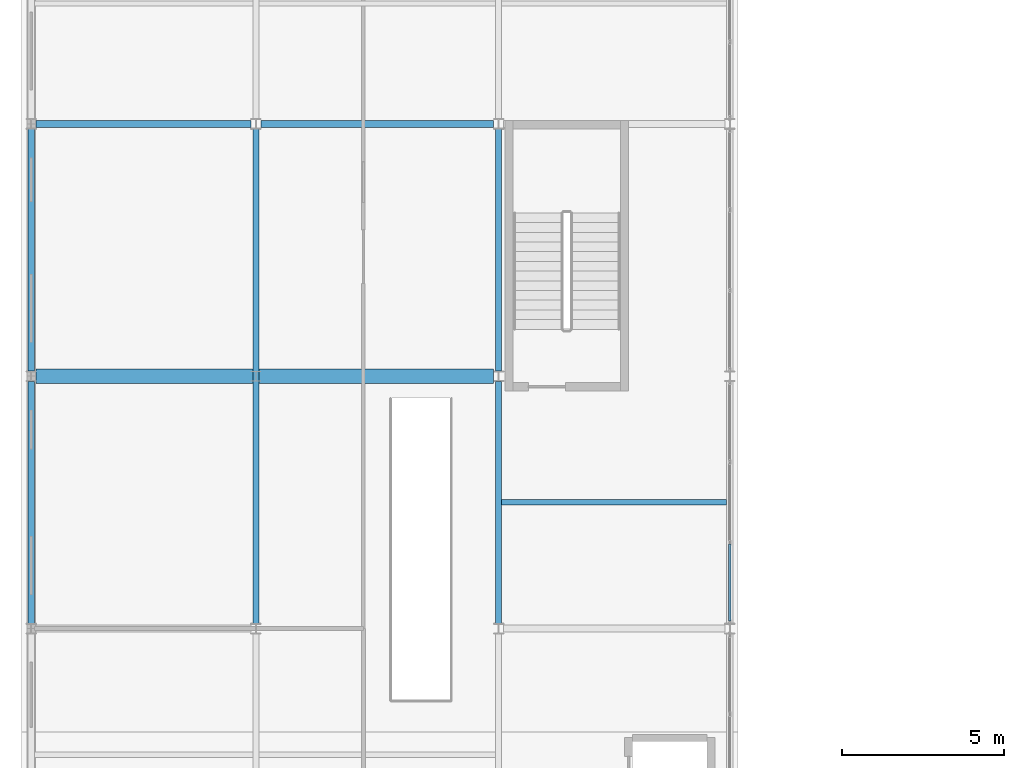
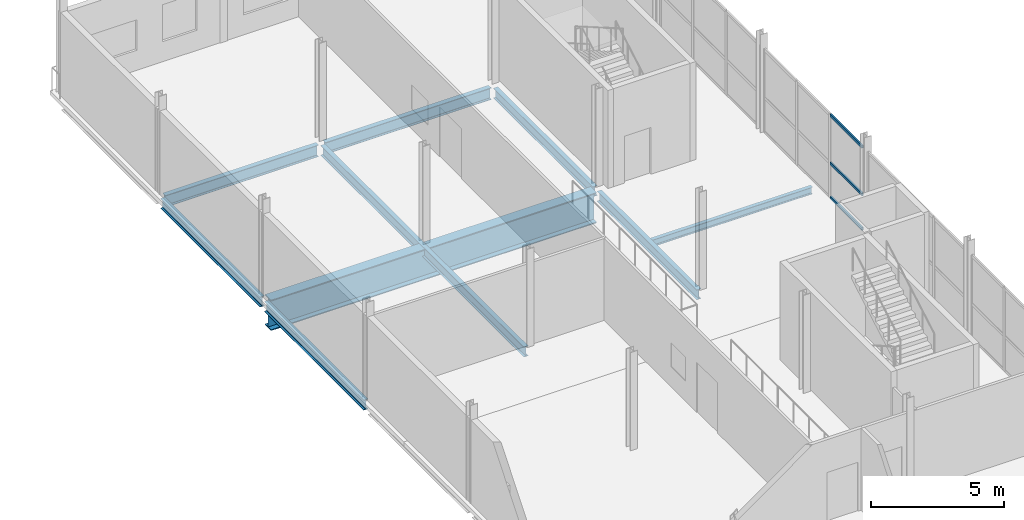
# One storey, part 16 of 77: 9 beams, 3 members, 1 element without a shape of its own.
"""IFC4 building model written with IfcOpenShell, lengths in metres."""

from ifc_helpers import new_model, si_unit, direction, frame, origin, origin_2d, place, context, subcontext, project, spatial, hollow_rectangle, i_section, extrude, material, layer, layer_set, material_profile, profile_set, type_object, element, aggregate, save


model = new_model("IFC4")

# Units and contexts
model_context = context("Model", 3, precision=1e-05, world=origin(), true_north=direction((0.0, 1.0)))
body_context = subcontext(model_context, "Body", "Model", "MODEL_VIEW")
ifc_project = project(units=[si_unit("LENGTHUNIT", "METRE"), si_unit("AREAUNIT", "SQUARE_METRE"), si_unit("VOLUMEUNIT", "CUBIC_METRE"), si_unit("PLANEANGLEUNIT", "RADIAN"), si_unit("MASSUNIT", "GRAM", prefix="KILO")], contexts=[model_context])

# Site, building, storey
site_placement = place(None, origin())
site = spatial("IfcSite", under=ifc_project, at=site_placement, CompositionType="ELEMENT")
building_placement = place(site_placement, origin())
building = spatial("IfcBuilding", under=site, at=building_placement, Name="Quillay Park Conservatory", CompositionType="ELEMENT")
storey_placement = place(building_placement, frame((0.0, 0.0, 5.39990234375)))
storey = spatial("IfcBuildingStorey", under=building, at=storey_placement, Name="L01", CompositionType="ELEMENT", Elevation=5.39990234375)

# Beam
ifc_material_1 = material(Name="Steel ASTM A992 Grade 50", Category="steel")
ifc_material_profile_1 = material_profile(ifc_material_1, i_section(OverallWidth=0.166015625, OverallDepth=0.31298828125, WebThickness=0.006591796875, FlangeThickness=0.01123046875, FilletRadius=0.010009765625, at=origin_2d()), Name="W310x45")
ifc_profile_set_1 = profile_set([ifc_material_profile_1], Name="Steel ASTM A992 Grade 50")
beam_type_1 = type_object("IfcBeamType", Name="COMPOSITE FLOOR JOIST W310 X45", PredefinedType="JOIST", material=ifc_profile_set_1)
beam_1_placement = place(storey_placement, frame((15.095947265625, 35.10009765625, -0.346435546875), z_axis=(1.0, 0.0, 0.0), x_axis=(0.0, 1.0, 0.0)))
element("IfcBeam", 1, at=beam_1_placement, inside=storey, type_object=beam_type_1, Name="L01 beam BM-V3J-1321", PredefinedType="JOIST", context=body_context, shape_type="SweptSolid", body=[
    extrude(i_section(OverallWidth=0.166015625, OverallDepth=0.31298828125, WebThickness=0.006591796875, FlangeThickness=0.01123046875, FilletRadius=0.010009765625, at=origin_2d()), origin(), (0.0, 0.0, 1.0), 6.9580078125),
])

# Curtain wall, members
ifc_material_2 = material(Name="Thermally Broken Anodised Aluminium 6063-T6", Category="aluminium")
ifc_layer = layer(ifc_material_2, 0.1650390625)
ifc_layer_set = layer_set([ifc_layer], Name="UNITISED CURTAIN WALL PODIUM (Thermally Broken Anodised Aluminium 6063-T6)")
curtain_wall_type = type_object("IfcCurtainWallType", Name="UNITISED CURTAIN WALL PODIUM", PredefinedType="USERDEFINED", material=ifc_layer_set)
curtain_wall_placement = place(storey_placement, origin())
curtain_wall = element("IfcCurtainWall", 2, at=curtain_wall_placement, inside=storey, type_object=curtain_wall_type, Name="L01 Unitised Curtain Wall 202", ObjectType="UNITISED CURTAIN WALL", PredefinedType="USERDEFINED")
ifc_material_3 = material(Name="Thermally Broken Anodised Aluminium 6063-T6", Category="aluminium")
ifc_material_profile_2 = material_profile(ifc_material_3, hollow_rectangle(XDim=0.070068359375, YDim=0.1298828125, WallThickness=0.003173828125, at=origin_2d()), Name="AL70x130x3.2")
ifc_profile_set_2 = profile_set([ifc_material_profile_2], Name="Thermally Broken Anodised Aluminium 6063-T6")
member_type = type_object("IfcMemberType", Name="CURTAIN WALL TRANSOM 70 X130", PredefinedType="USERDEFINED", material=ifc_profile_set_2)
member_1_placement = place(storey_placement, frame((22.14990234375, 33.818359375, 0.03515625), z_axis=(0.0, -1.0, 0.0), x_axis=(1.0, 0.0, 0.0)))
member_1 = element("IfcMember", 3, at=member_1_placement, type_object=member_type, Name="CW-P1 transom 3.1", ObjectType="TRANSOM", PredefinedType="USERDEFINED", context=body_context, shape_type="SweptSolid", body=[
    extrude(hollow_rectangle(XDim=0.070068359375, YDim=0.1298828125, WallThickness=0.003173828125, at=origin_2d()), origin(), (0.0, 0.0, 1.0), 2.388427734375),
])
member_2_placement = place(storey_placement, frame((22.14990234375, 33.818359375, 1.614501953125), z_axis=(0.0, -1.0, 0.0), x_axis=(1.0, 0.0, 0.0)))
member_2 = element("IfcMember", 4, at=member_2_placement, type_object=member_type, Name="CW-P1 transom 3.2", ObjectType="TRANSOM", PredefinedType="USERDEFINED", context=body_context, shape_type="SweptSolid", body=[
    extrude(hollow_rectangle(XDim=0.070068359375, YDim=0.1298828125, WallThickness=0.003173828125, at=origin_2d()), origin(), (0.0, 0.0, 1.0), 2.388427734375),
])
member_3_placement = place(storey_placement, frame((22.14990234375, 33.818359375, 3.80908203125), z_axis=(0.0, -1.0, 0.0), x_axis=(1.0, 0.0, 0.0)))
member_3 = element("IfcMember", 5, at=member_3_placement, type_object=member_type, Name="CW-P1 transom 3.3", ObjectType="TRANSOM", PredefinedType="USERDEFINED", context=body_context, shape_type="SweptSolid", body=[
    extrude(hollow_rectangle(XDim=0.070068359375, YDim=0.1298828125, WallThickness=0.003173828125, at=origin_2d()), origin(), (0.0, 0.0, 1.0), 2.388427734375),
])
aggregate(curtain_wall, [member_1, member_2, member_3])

# Beams
ifc_material_4 = material(Name="Steel ASTM A992 Grade 50", Category="steel")
ifc_material_profile_3 = material_profile(ifc_material_4, i_section(OverallWidth=0.19189453125, OverallDepth=0.462890625, WebThickness=0.010498046875, FlangeThickness=0.017578125, FilletRadius=0.012939453125, at=origin_2d()), Name="W460x89")
ifc_profile_set_3 = profile_set([ifc_material_profile_3], Name="Steel ASTM A992 Grade 50")
beam_type_2 = type_object("IfcBeamType", Name="PRIMARY FLOOR GIRDER W460 X89", PredefinedType="BEAM", material=ifc_profile_set_3)
for number, where, z_axis, x_axis, name in (
    (6, (0.550048828125, 31.361572265625, -0.42138671875), (0.0, 1.0, 0.0), (-1.0, 0.0, 0.0), "L01 beam BM-V3Y-1287"),
    (7, (0.550048828125, 39.16162109375, -0.42138671875), (0.0, 1.0, 0.0), (-1.0, 0.0, 0.0), "L01 beam BM-V3Y-1288"),
):
    element("IfcBeam", number, at=place(storey_placement, frame(where, z_axis=z_axis, x_axis=x_axis)), inside=storey, type_object=beam_type_2, Name=name, PredefinedType="BEAM", context=body_context, shape_type="SweptSolid", body=[
        extrude(i_section(OverallWidth=0.19189453125, OverallDepth=0.462890625, WebThickness=0.010498046875, FlangeThickness=0.017578125, FilletRadius=0.012939453125, at=origin_2d()), origin(), (0.0, 0.0, 1.0), 7.476806640625),
    ])
beam_2_placement = place(storey_placement, frame((7.5, 31.361572265625, -0.42138671875), z_axis=(0.0, 1.0, 0.0), x_axis=(-1.0, 0.0, 0.0)))
element("IfcBeam", 8, at=beam_2_placement, inside=storey, type_object=beam_type_2, Name="L01 beam BM-V3Y-1294", PredefinedType="BEAM", context=body_context, shape_type="SweptSolid", body=[
    extrude(i_section(OverallWidth=0.19189453125, OverallDepth=0.462890625, WebThickness=0.010498046875, FlangeThickness=0.017578125, FilletRadius=0.012939453125, at=origin_2d()), origin(), (0.0, 0.0, 1.0), 15.27685546875),
])
for number, where, z_axis, x_axis, name in (
    (9, (15.0, 31.361572265625, -0.42138671875), (0.0, 1.0, 0.0), (-1.0, 0.0, 0.0), "L01 beam BM-V3Y-1300"),
    (10, (15.0, 39.16162109375, -0.42138671875), (0.0, 1.0, 0.0), (-1.0, 0.0, 0.0), "L01 beam BM-V3Y-1301"),
):
    element("IfcBeam", number, at=place(storey_placement, frame(where, z_axis=z_axis, x_axis=x_axis)), inside=storey, type_object=beam_type_2, Name=name, PredefinedType="BEAM", context=body_context, shape_type="SweptSolid", body=[
        extrude(i_section(OverallWidth=0.19189453125, OverallDepth=0.462890625, WebThickness=0.010498046875, FlangeThickness=0.017578125, FilletRadius=0.012939453125, at=origin_2d()), origin(), (0.0, 0.0, 1.0), 7.476806640625),
    ])
ifc_material_5 = material(Name="Steel ASTM A992 Grade 50", Category="steel")
ifc_material_profile_4 = material_profile(ifc_material_5, i_section(OverallWidth=0.2109375, OverallDepth=0.5390625, WebThickness=0.01171875, FlangeThickness=0.018798828125, FilletRadius=0.013916015625, at=origin_2d()), Name="W530x109")
ifc_profile_set_4 = profile_set([ifc_material_profile_4], Name="Steel ASTM A992 Grade 50")
beam_type_3 = type_object("IfcBeamType", Name="PRIMARY FLOOR GIRDER W530 X109", PredefinedType="BEAM", material=ifc_profile_set_4)
beam_3_placement = place(storey_placement, frame((0.70458984375, 46.800048828125, -0.45947265625), z_axis=(1.0, 0.0, 0.0), x_axis=(0.0, 1.0, 0.0)))
element("IfcBeam", 11, at=beam_3_placement, inside=storey, type_object=beam_type_3, Name="L01 beam BM-V3X-1277", PredefinedType="BEAM", context=body_context, shape_type="SweptSolid", body=[
    extrude(i_section(OverallWidth=0.2109375, OverallDepth=0.5390625, WebThickness=0.01171875, FlangeThickness=0.018798828125, FilletRadius=0.013916015625, at=origin_2d()), origin(), (0.0, 0.0, 1.0), 6.640869140625),
])
beam_4_placement = place(storey_placement, frame((7.654541015625, 46.800048828125, -0.45947265625), z_axis=(1.0, 0.0, 0.0), x_axis=(0.0, 1.0, 0.0)))
element("IfcBeam", 12, at=beam_4_placement, inside=storey, type_object=beam_type_3, Name="L01 beam BM-V3X-1278", PredefinedType="BEAM", context=body_context, shape_type="SweptSolid", body=[
    extrude(i_section(OverallWidth=0.2109375, OverallDepth=0.5390625, WebThickness=0.01171875, FlangeThickness=0.018798828125, FilletRadius=0.013916015625, at=origin_2d()), origin(), (0.0, 0.0, 1.0), 7.19091796875),
])
ifc_material_6 = material(Name="Steel ASTM A572 Grade 50", Category="steel")
ifc_material_profile_5 = material_profile(ifc_material_6, i_section(OverallWidth=0.449951171875, OverallDepth=1.39990234375, WebThickness=0.02392578125, FlangeThickness=0.0439453125, at=origin_2d()), Name="IG1400x450")
ifc_profile_set_5 = profile_set([ifc_material_profile_5], Name="Steel ASTM A572 Grade 50")
beam_type_4 = type_object("IfcBeamType", Name="TRANSFER PLATE GIRDER IG1400", PredefinedType="USERDEFINED", material=ifc_profile_set_5)
beam_5_placement = place(storey_placement, frame((0.70458984375, 39.0, -0.889892578125), z_axis=(1.0, 0.0, 0.0), x_axis=(0.0, 1.0, 0.0)))
element("IfcBeam", 13, at=beam_5_placement, inside=storey, type_object=beam_type_4, Name="L01 beam BM-TGV3-1276", ObjectType="TRANSFER PLATE GIRDER", PredefinedType="USERDEFINED", context=body_context, shape_type="SweptSolid", body=[
    extrude(i_section(OverallWidth=0.449951171875, OverallDepth=1.39990234375, WebThickness=0.02392578125, FlangeThickness=0.0439453125, at=origin_2d()), origin(), (0.0, 0.0, 1.0), 14.140869140625),
])

save(model, "model.ifc")
